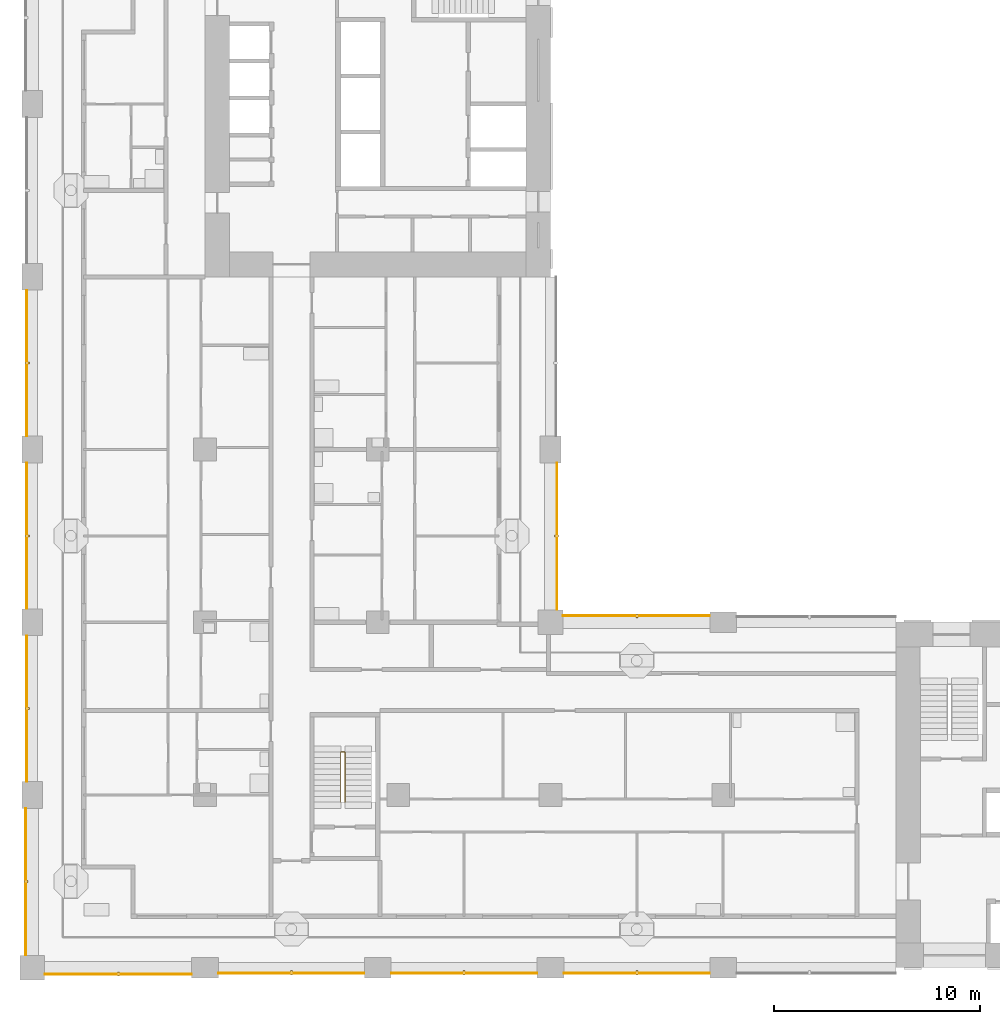
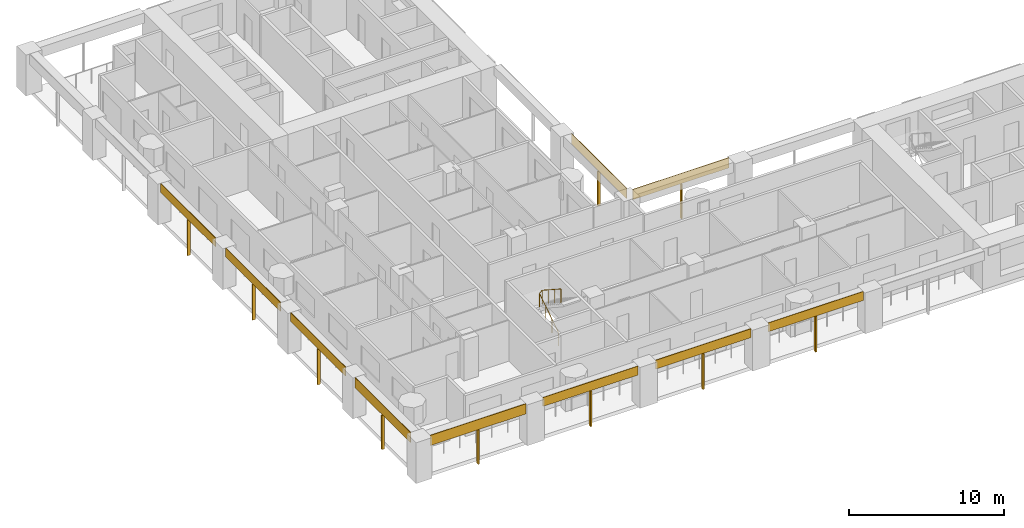
# One storey, part 9 of 18: 20 shading devices, 1 railing.
"""IFC4 building model written with IfcOpenShell, lengths in metres."""

from ifc_helpers import new_model, si_unit, direction, frame, origin, origin_2d, place, context, subcontext, project, spatial, rectangle, circle, extrude, material, layer, layer_set, material_profile, profile_set, type_object, element, save


model = new_model("IFC4")

# Units and contexts
model_context = context("Model", 3, precision=1e-05, world=origin(), true_north=direction((0.0, 1.0)))
body_context = subcontext(model_context, "Body", "Model", "MODEL_VIEW")
ifc_project = project(units=[si_unit("LENGTHUNIT", "METRE"), si_unit("AREAUNIT", "SQUARE_METRE"), si_unit("VOLUMEUNIT", "CUBIC_METRE"), si_unit("PLANEANGLEUNIT", "RADIAN"), si_unit("MASSUNIT", "GRAM", prefix="KILO")], contexts=[model_context])

# Site, building, storey
site_placement = place(None, origin())
site = spatial("IfcSite", under=ifc_project, at=site_placement, CompositionType="ELEMENT")
building_placement = place(site_placement, origin())
building = spatial("IfcBuilding", under=site, at=building_placement, Name="Vermilion Gate Residences", CompositionType="ELEMENT")
storey_placement = place(building_placement, frame((0.0, 0.0, 88.199951171875)))
storey = spatial("IfcBuildingStorey", under=building, at=storey_placement, Name="L21", CompositionType="ELEMENT", Elevation=88.199951171875)

# Shading devices
ifc_material_1 = material(Name="Perforated terracotta", Category="masonry")
ifc_layer = layer(ifc_material_1, 0.0400390625)
ifc_layer_set = layer_set([ifc_layer], Name="PERFORATED TERRACOTTA SCREEN 40")
shading_device_type_1 = type_object("IfcShadingDeviceType", Name="PERFORATED TERRACOTTA SCREEN 40", PredefinedType="SHUTTER", material=ifc_layer_set)
shading_device_1_placement = place(storey_placement, frame((4.175048828125, 8.080078125, 2.419921875), z_axis=(0.0, 0.0, 1.0), x_axis=(1.0, 0.0, 0.0)))
element("IfcShadingDevice", 1, at=shading_device_1_placement, inside=storey, type_object=shading_device_type_1, Name="SCREEN", PredefinedType="SHUTTER", context=body_context, shape_type="SweptSolid", body=[
    extrude(rectangle(XDim=7.14990234375, YDim=0.0400390625, at=origin_2d()), origin(), (0.0, 0.0, 1.0), 0.800048828125),
])
for number, where, z_axis, x_axis, name in (
    (2, (12.60009765625, 8.1298828125, 2.52001953125), (0.0, 0.0, 1.0), (1.0, 0.0, 0.0), "SCREEN"),
    (3, (21.0, 8.1298828125, 2.52001953125), (0.0, 0.0, 1.0), (1.0, 0.0, 0.0), "SCREEN"),
    (4, (29.39990234375, 8.1298828125, 2.52001953125), (0.0, 0.0, 1.0), (1.0, 0.0, 0.0), "SCREEN"),
):
    element("IfcShadingDevice", number, at=place(storey_placement, frame(where, z_axis=z_axis, x_axis=x_axis)), inside=storey, type_object=shading_device_type_1, Name=name, PredefinedType="SHUTTER", context=body_context, shape_type="SweptSolid", body=[
        extrude(rectangle(XDim=7.10009765625, YDim=0.0400390625, at=origin_2d()), origin(), (0.0, 0.0, 1.0), 0.699951171875),
    ])
for number, where, z_axis, x_axis, name in (
    (5, (29.375, 25.52001953125, 2.419921875), (0.0, 0.0, 1.0), (-1.0, 0.0, 0.0), "SCREEN"),
    (6, (25.52001953125, 29.375, 2.419921875), (0.0, 0.0, 1.0), (0.0, 1.0, 0.0), "SCREEN"),
    (7, (-0.320068359375, 12.574951171875, 2.419921875), (0.0, 0.0, 1.0), (0.0, -1.0, 0.0), "SCREEN"),
):
    element("IfcShadingDevice", number, at=place(storey_placement, frame(where, z_axis=z_axis, x_axis=x_axis)), inside=storey, type_object=shading_device_type_1, Name=name, PredefinedType="SHUTTER", context=body_context, shape_type="SweptSolid", body=[
        extrude(rectangle(XDim=7.14990234375, YDim=0.0400390625, at=origin_2d()), origin(), (0.0, 0.0, 1.0), 0.800048828125),
    ])
for number, where, z_axis, x_axis, name in (
    (8, (-0.27001953125, 21.0, 2.52001953125), (0.0, 0.0, 1.0), (0.0, -1.0, 0.0), "SCREEN"),
    (9, (-0.27001953125, 29.39990234375, 2.52001953125), (0.0, 0.0, 1.0), (0.0, -1.0, 0.0), "SCREEN"),
    (10, (-0.27001953125, 37.800048828125, 2.52001953125), (0.0, 0.0, 1.0), (0.0, -1.0, 0.0), "SCREEN"),
):
    element("IfcShadingDevice", number, at=place(storey_placement, frame(where, z_axis=z_axis, x_axis=x_axis)), inside=storey, type_object=shading_device_type_1, Name=name, PredefinedType="SHUTTER", context=body_context, shape_type="SweptSolid", body=[
        extrude(rectangle(XDim=7.10009765625, YDim=0.0400390625, at=origin_2d()), origin(), (0.0, 0.0, 1.0), 0.699951171875),
    ])

# Railing
ifc_material_2 = material(Name="Steel S355", Category="steel")
railing_type = type_object("IfcRailingType", Name="STAIR GUARD 1100 STEEL", PredefinedType="GUARDRAIL", material=ifc_material_2)
railing_placement = place(storey_placement, frame((15.0, 16.449951171875, 0.175048828125)))
element("IfcRailing", 11, at=railing_placement, inside=storey, type_object=railing_type, Name="Stair well guard STC1-21", PredefinedType="GUARDRAIL", context=body_context, shape_type="SweptSolid", body=[
    extrude(circle(Radius=0.02392578125, at=origin_2d()), frame((0.0, 0.0, 1.076171875), z_axis=(0.0, 0.839153699163, 0.543894354798), x_axis=(-1.0, 0.0, 0.0)), (0.0, 0.0, 1.0), 2.895751953125),
    extrude(circle(Radius=0.02392578125, at=origin_2d()), frame((0.0, 2.429931640625, 2.65087890625), z_axis=(0.752405939678, 0.0, 0.658699705433), x_axis=(0.0, 1.0, 0.0)), (0.0, 0.0, 1.0), 0.265869140625),
    extrude(circle(Radius=0.02392578125, at=origin_2d()), frame((0.199951171875, 2.429931640625, 2.826171875), z_axis=(0.0, -0.839153699163, 0.543894354798), x_axis=(1.0, 0.0, 0.0)), (0.0, 0.0, 1.0), 2.895751953125),
    extrude(circle(Radius=0.02099609375, at=origin_2d()), origin(), (0.0, 0.0, 1.0), 1.052001953125),
    extrude(circle(Radius=0.02099609375, at=origin_2d()), frame((0.0, 0.81005859375, 0.52490234375)), (0.0, 0.0, 1.0), 1.052001953125),
    extrude(circle(Radius=0.02099609375, at=origin_2d()), frame((0.0, 1.619873046875, 1.050048828125)), (0.0, 0.0, 1.0), 1.052001953125),
    extrude(circle(Radius=0.02099609375, at=origin_2d()), frame((0.0, 2.429931640625, 1.574951171875)), (0.0, 0.0, 1.0), 1.052001953125),
    extrude(circle(Radius=0.02099609375, at=origin_2d()), frame((0.199951171875, 2.429931640625, 1.75)), (0.0, 0.0, 1.0), 1.052001953125),
    extrude(circle(Radius=0.02099609375, at=origin_2d()), frame((0.199951171875, 1.619873046875, 2.27490234375)), (0.0, 0.0, 1.0), 1.052001953125),
    extrude(circle(Radius=0.02099609375, at=origin_2d()), frame((0.199951171875, 0.81005859375, 2.800048828125)), (0.0, 0.0, 1.0), 1.052001953125),
    extrude(circle(Radius=0.02099609375, at=origin_2d()), frame((0.199951171875, 0.0, 3.324951171875)), (0.0, 0.0, 1.0), 1.052001953125),
])

# Shading devices
ifc_material_3 = material(Name="Extruded terracotta", Category="masonry")
ifc_material_profile = material_profile(ifc_material_3, rectangle(XDim=0.199951171875, YDim=0.10009765625, at=origin_2d()), Name="BAGUETTE 100 X 200")
ifc_profile_set = profile_set([ifc_material_profile], Name="Extruded terracotta")
shading_device_type_2 = type_object("IfcShadingDeviceType", Name="TERRACOTTA BAGUETTE 100 X 200", PredefinedType="JALOUSIE", material=ifc_profile_set)
shading_device_2_placement = place(storey_placement, frame((4.199951171875, 8.10009765625, -0.280029296875), z_axis=(0.0, 0.0, 1.0), x_axis=(0.0, 1.0, 0.0)))
element("IfcShadingDevice", 12, at=shading_device_2_placement, inside=storey, type_object=shading_device_type_2, Name="BAGUETTE", PredefinedType="JALOUSIE", context=body_context, shape_type="SweptSolid", body=[
    extrude(rectangle(XDim=0.199951171875, YDim=0.10009765625, at=origin_2d()), origin(), (0.0, 0.0, 1.0), 2.7001953125),
])
for number, where, z_axis, x_axis, name in (
    (13, (12.60009765625, 8.14990234375, -0.280029296875), (0.0, 0.0, 1.0), (0.0, 1.0, 0.0), "BAGUETTE"),
    (14, (21.0, 8.14990234375, -0.280029296875), (0.0, 0.0, 1.0), (0.0, 1.0, 0.0), "BAGUETTE"),
    (15, (29.39990234375, 8.14990234375, -0.280029296875), (0.0, 0.0, 1.0), (0.0, 1.0, 0.0), "BAGUETTE"),
):
    element("IfcShadingDevice", number, at=place(storey_placement, frame(where, z_axis=z_axis, x_axis=x_axis)), inside=storey, type_object=shading_device_type_2, Name=name, PredefinedType="JALOUSIE", context=body_context, shape_type="SweptSolid", body=[
        extrude(rectangle(XDim=0.199951171875, YDim=0.10009765625, at=origin_2d()), origin(), (0.0, 0.0, 1.0), 2.800048828125),
    ])
for number, where, z_axis, x_axis, name in (
    (16, (29.39990234375, 25.5, -0.280029296875), (0.0, 0.0, 1.0), (0.0, -1.0, 0.0), "BAGUETTE"),
    (17, (25.5, 29.39990234375, -0.280029296875), (0.0, 0.0, 1.0), (-1.0, 0.0, 0.0), "BAGUETTE"),
    (18, (-0.300048828125, 12.60009765625, -0.280029296875), (0.0, 0.0, 1.0), (1.0, 0.0, 0.0), "BAGUETTE"),
):
    element("IfcShadingDevice", number, at=place(storey_placement, frame(where, z_axis=z_axis, x_axis=x_axis)), inside=storey, type_object=shading_device_type_2, Name=name, PredefinedType="JALOUSIE", context=body_context, shape_type="SweptSolid", body=[
        extrude(rectangle(XDim=0.199951171875, YDim=0.10009765625, at=origin_2d()), origin(), (0.0, 0.0, 1.0), 2.7001953125),
    ])
for number, where, z_axis, x_axis, name in (
    (19, (-0.25, 21.0, -0.280029296875), (0.0, 0.0, 1.0), (1.0, 0.0, 0.0), "BAGUETTE"),
    (20, (-0.25, 29.39990234375, -0.280029296875), (0.0, 0.0, 1.0), (1.0, 0.0, 0.0), "BAGUETTE"),
    (21, (-0.25, 37.800048828125, -0.280029296875), (0.0, 0.0, 1.0), (1.0, 0.0, 0.0), "BAGUETTE"),
):
    element("IfcShadingDevice", number, at=place(storey_placement, frame(where, z_axis=z_axis, x_axis=x_axis)), inside=storey, type_object=shading_device_type_2, Name=name, PredefinedType="JALOUSIE", context=body_context, shape_type="SweptSolid", body=[
        extrude(rectangle(XDim=0.199951171875, YDim=0.10009765625, at=origin_2d()), origin(), (0.0, 0.0, 1.0), 2.800048828125),
    ])

save(model, "model.ifc")
